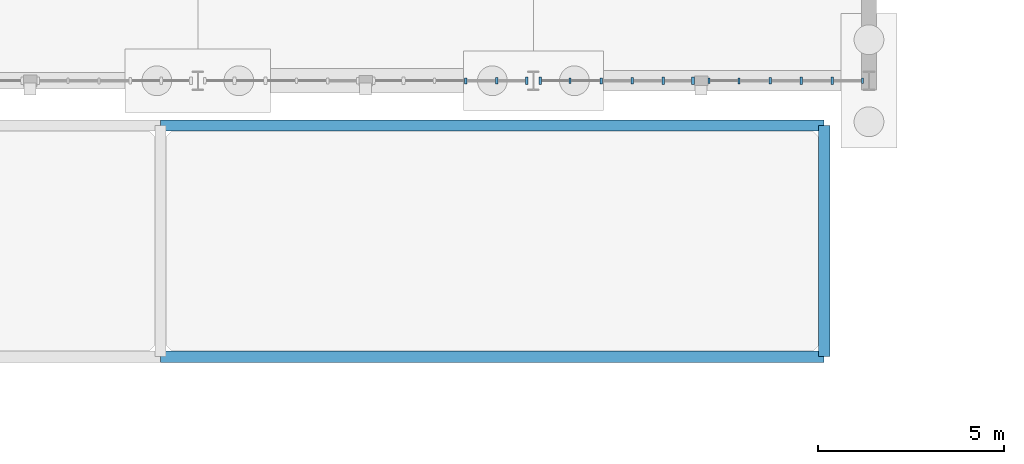
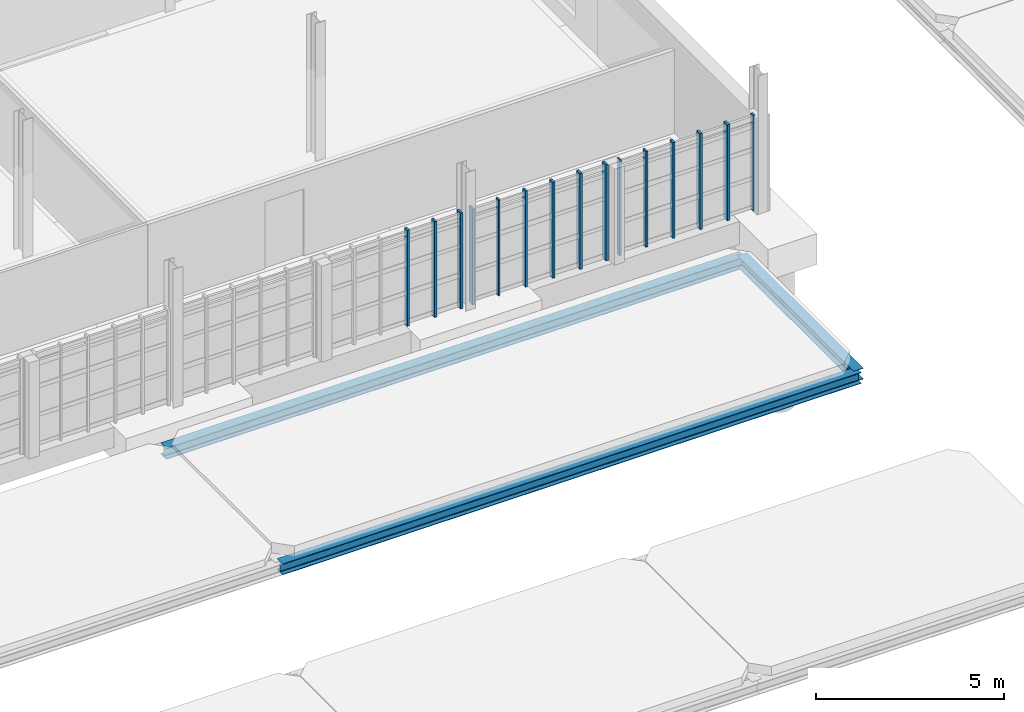
# One storey, part 37 of 125: 15 members, 3 beams, 3 elements without a shape of their own.
"""IFC4 building model written with IfcOpenShell, lengths in metres."""

from ifc_helpers import new_model, si_unit, direction, frame, origin, origin_2d, place, context, subcontext, project, spatial, rectangle, i_section, extrude, material, material_profile, profile_set, type_object, element, aggregate, save


model = new_model("IFC4")

# Units and contexts
model_context = context("Model", 3, precision=1e-05, world=origin(), true_north=direction((0.0, 1.0)))
body_context = subcontext(model_context, "Body", "Model", "MODEL_VIEW")
ifc_project = project(units=[si_unit("LENGTHUNIT", "METRE"), si_unit("AREAUNIT", "SQUARE_METRE"), si_unit("VOLUMEUNIT", "CUBIC_METRE"), si_unit("PLANEANGLEUNIT", "RADIAN"), si_unit("MASSUNIT", "GRAM", prefix="KILO")], contexts=[model_context])

# Site, building, storey
site_placement = place(None, origin())
site = spatial("IfcSite", under=ifc_project, at=site_placement, CompositionType="ELEMENT")
building_placement = place(site_placement, origin())
building = spatial("IfcBuilding", under=site, at=building_placement, Name="Serraforn Aerial Cableway Station", CompositionType="ELEMENT")
storey_placement = place(building_placement, frame((0.0, 0.0, 4.5)))
storey = spatial("IfcBuildingStorey", under=building, at=storey_placement, Name="L01", CompositionType="ELEMENT", Elevation=4.5)

# Beams
ifc_material_1 = material(Name="Steel S355JR", Category="steel")
ifc_material_profile_1 = material_profile(ifc_material_1, i_section(OverallWidth=0.300048828125, OverallDepth=0.360107421875, WebThickness=0.010009765625, FlangeThickness=0.017578125, FilletRadius=0.027099609375, at=origin_2d()), Name="HEA 360")
ifc_profile_set_1 = profile_set([ifc_material_profile_1], Name="Steel S355JR")
beam_type = type_object("IfcBeamType", Name="BM-ST-HEA360", PredefinedType="BEAM", material=ifc_profile_set_1)
for number, where, z_axis, x_axis, name in (
    (1, (120.199951171875, 18.60009765625, -0.52001953125), (1.0, 0.0, 0.0), (0.0, 1.0, 0.0), "Colonnade Spandrel Beam CX-3-1"),
    (2, (120.199951171875, 24.800048828125, -0.52001953125), (1.0, 0.0, 0.0), (0.0, 1.0, 0.0), "Colonnade Spandrel Beam CX-3-2"),
):
    element("IfcBeam", number, at=place(storey_placement, frame(where, z_axis=z_axis, x_axis=x_axis)), inside=storey, type_object=beam_type, Name=name, PredefinedType="BEAM", context=body_context, shape_type="SweptSolid", body=[
        extrude(i_section(OverallWidth=0.300048828125, OverallDepth=0.360107421875, WebThickness=0.010009765625, FlangeThickness=0.017578125, FilletRadius=0.027099609375, at=origin_2d()), origin(), (0.0, 0.0, 1.0), 17.800048828125),
    ])
beam_placement = place(storey_placement, frame((138.0, 18.60009765625, -0.52001953125), z_axis=(0.0, 1.0, 0.0), x_axis=(-1.0, 0.0, 0.0)))
element("IfcBeam", 3, at=beam_placement, inside=storey, type_object=beam_type, Name="Colonnade Cross Beam CY-4-1", PredefinedType="BEAM", context=body_context, shape_type="SweptSolid", body=[
    extrude(i_section(OverallWidth=0.300048828125, OverallDepth=0.360107421875, WebThickness=0.010009765625, FlangeThickness=0.017578125, FilletRadius=0.027099609375, at=origin_2d()), origin(), (0.0, 0.0, 1.0), 6.199951171875),
])

# Curtain wall, member
ifc_material_2 = material(Name="Anodised bronze unitised curtain wall")
curtain_wall_type_1 = type_object("IfcCurtainWallType", Name="CW-SYS-19", PredefinedType="USERDEFINED", material=ifc_material_2)
curtain_wall_1_placement = place(storey_placement, origin())
curtain_wall_1 = element("IfcCurtainWall", 4, at=curtain_wall_1_placement, inside=storey, type_object=curtain_wall_type_1, Name="Unitised Curtain Wall CW-EL-L01-S5A", ObjectType="UNITISED CURTAIN WALL", PredefinedType="USERDEFINED")
ifc_material_3 = material(Name="Anodised bronze extruded aluminium", Category="aluminium")
ifc_material_profile_2 = material_profile(ifc_material_3, rectangle(XDim=0.054931640625, YDim=0.139892578125, at=origin_2d()), Name="CW MULLION 55x140")
ifc_profile_set_2 = profile_set([ifc_material_profile_2], Name="Anodised bronze extruded aluminium")
member_type_1 = type_object("IfcMemberType", Name="CW-MUL-1", PredefinedType="MULLION", material=ifc_profile_set_2)
member_1_placement = place(storey_placement, frame((131.182373046875, 26.0, 0.0), z_axis=(0.0, 0.0, 1.0), x_axis=(1.0, 0.0, 0.0)))
member_1 = element("IfcMember", 5, at=member_1_placement, type_object=member_type_1, Name="Curtain Wall Mullion CW-EL-L01-S5A-M2", PredefinedType="MULLION", context=body_context, shape_type="SweptSolid", body=[
    extrude(rectangle(XDim=0.054931640625, YDim=0.139892578125, at=origin_2d()), origin(), (0.0, 0.0, 1.0), 3.1201171875),
])

# Curtain wall, members
curtain_wall_type_2 = type_object("IfcCurtainWallType", Name="CW-SYS-20", PredefinedType="USERDEFINED", material=ifc_material_2)
curtain_wall_2_placement = place(storey_placement, origin())
curtain_wall_2 = element("IfcCurtainWall", 6, at=curtain_wall_2_placement, inside=storey, type_object=curtain_wall_type_2, Name="Unitised Curtain Wall CW-EL-L01-S5B", ObjectType="UNITISED CURTAIN WALL", PredefinedType="USERDEFINED")
member_2_placement = place(storey_placement, frame((134.907470703125, 26.0, 0.0), z_axis=(0.0, 0.0, 1.0), x_axis=(1.0, 0.0, 0.0)))
member_2 = element("IfcMember", 7, at=member_2_placement, type_object=member_type_1, Name="Curtain Wall Mullion CW-EL-L01-S5B-M1", PredefinedType="MULLION", context=body_context, shape_type="SweptSolid", body=[
    extrude(rectangle(XDim=0.054931640625, YDim=0.139892578125, at=origin_2d()), origin(), (0.0, 0.0, 1.0), 3.1201171875),
])
member_3_placement = place(storey_placement, frame((139.0244140625, 26.0, 0.0), z_axis=(0.0, 0.0, 1.0), x_axis=(1.0, 0.0, 0.0)))
member_3 = element("IfcMember", 8, at=member_3_placement, type_object=member_type_1, Name="Curtain Wall Mullion CW-EL-L01-S5B-M6", PredefinedType="MULLION", context=body_context, shape_type="SweptSolid", body=[
    extrude(rectangle(XDim=0.054931640625, YDim=0.139892578125, at=origin_2d()), origin(), (0.0, 0.0, 1.0), 3.1201171875),
])

# Curtain wall, member
curtain_wall_type_3 = type_object("IfcCurtainWallType", Name="CW-SYS-18", PredefinedType="USERDEFINED", material=ifc_material_2)
curtain_wall_3_placement = place(storey_placement, origin())
curtain_wall_3 = element("IfcCurtainWall", 9, at=curtain_wall_3_placement, inside=storey, type_object=curtain_wall_type_3, Name="Unitised Curtain Wall CW-EL-L01-S4B", ObjectType="UNITISED CURTAIN WALL", PredefinedType="USERDEFINED")
ifc_material_profile_3 = material_profile(ifc_material_3, rectangle(XDim=0.06005859375, YDim=0.159912109375, at=origin_2d()), Name="CW MULLION 60x160")
ifc_profile_set_3 = profile_set([ifc_material_profile_3], Name="Anodised bronze extruded aluminium")
member_type_2 = type_object("IfcMemberType", Name="CW-MUL-2", PredefinedType="MULLION", material=ifc_profile_set_3)
member_4_placement = place(storey_placement, frame((128.38330078125, 26.0, 0.0), z_axis=(0.0, 0.0, 1.0), x_axis=(1.0, 0.0, 0.0)))
member_4 = element("IfcMember", 10, at=member_4_placement, type_object=member_type_2, Name="Curtain Wall Mullion CW-EL-L01-S4B-M4", PredefinedType="MULLION", context=body_context, shape_type="SweptSolid", body=[
    extrude(rectangle(XDim=0.06005859375, YDim=0.159912109375, at=origin_2d()), origin(), (0.0, 0.0, 1.0), 3.1201171875),
])

# Member
member_5_placement = place(storey_placement, frame((132.016845703125, 26.0, 0.0), z_axis=(0.0, 0.0, 1.0), x_axis=(1.0, 0.0, 0.0)))
member_5 = element("IfcMember", 11, at=member_5_placement, type_object=member_type_2, Name="Curtain Wall Mullion CW-EL-L01-S5A-M3", PredefinedType="MULLION", context=body_context, shape_type="SweptSolid", body=[
    extrude(rectangle(XDim=0.06005859375, YDim=0.159912109375, at=origin_2d()), origin(), (0.0, 0.0, 1.0), 3.1201171875),
])

member_6_placement = place(storey_placement, frame((135.71435546875, 26.0, 0.0), z_axis=(0.0, 0.0, 1.0), x_axis=(1.0, 0.0, 0.0)))
member_6 = element("IfcMember", 12, at=member_6_placement, type_object=member_type_2, Name="Curtain Wall Mullion CW-EL-L01-S5B-M2", PredefinedType="MULLION", context=body_context, shape_type="SweptSolid", body=[
    extrude(rectangle(XDim=0.06005859375, YDim=0.159912109375, at=origin_2d()), origin(), (0.0, 0.0, 1.0), 3.1201171875),
])

ifc_material_profile_4 = material_profile(ifc_material_3, rectangle(XDim=0.06494140625, YDim=0.175048828125, at=origin_2d()), Name="CW MULLION 65x175")
ifc_profile_set_4 = profile_set([ifc_material_profile_4], Name="Anodised bronze extruded aluminium")
member_type_3 = type_object("IfcMemberType", Name="CW-MUL-3", PredefinedType="MULLION", material=ifc_profile_set_4)
member_7_placement = place(storey_placement, frame((129.217529296875, 26.0, 0.0), z_axis=(0.0, 0.0, 1.0), x_axis=(1.0, 0.0, 0.0)))
member_7 = element("IfcMember", 13, at=member_7_placement, type_object=member_type_3, Name="Curtain Wall Mullion CW-EL-L01-S4B-M5", PredefinedType="MULLION", context=body_context, shape_type="SweptSolid", body=[
    extrude(rectangle(XDim=0.06494140625, YDim=0.175048828125, at=origin_2d()), origin(), (0.0, 0.0, 1.0), 3.1201171875),
])

member_8_placement = place(storey_placement, frame((132.851318359375, 26.0, 0.0), z_axis=(0.0, 0.0, 1.0), x_axis=(1.0, 0.0, 0.0)))
member_8 = element("IfcMember", 14, at=member_8_placement, type_object=member_type_3, Name="Curtain Wall Mullion CW-EL-L01-S5A-M4", PredefinedType="MULLION", context=body_context, shape_type="SweptSolid", body=[
    extrude(rectangle(XDim=0.06494140625, YDim=0.175048828125, at=origin_2d()), origin(), (0.0, 0.0, 1.0), 3.1201171875),
])

member_9_placement = place(storey_placement, frame((136.548828125, 26.0, 0.0), z_axis=(0.0, 0.0, 1.0), x_axis=(1.0, 0.0, 0.0)))
member_9 = element("IfcMember", 15, at=member_9_placement, type_object=member_type_3, Name="Curtain Wall Mullion CW-EL-L01-S5B-M3", PredefinedType="MULLION", context=body_context, shape_type="SweptSolid", body=[
    extrude(rectangle(XDim=0.06494140625, YDim=0.175048828125, at=origin_2d()), origin(), (0.0, 0.0, 1.0), 3.1201171875),
])

ifc_material_profile_5 = material_profile(ifc_material_3, rectangle(XDim=0.070068359375, YDim=0.18994140625, at=origin_2d()), Name="CW MULLION 70x190")
ifc_profile_set_5 = profile_set([ifc_material_profile_5], Name="Anodised bronze extruded aluminium")
member_type_4 = type_object("IfcMemberType", Name="CW-MUL-4", PredefinedType="MULLION", material=ifc_profile_set_5)
member_10_placement = place(storey_placement, frame((130.01708984375, 26.0, 0.0), z_axis=(0.0, 0.0, 1.0), x_axis=(1.0, 0.0, 0.0)))
member_10 = element("IfcMember", 16, at=member_10_placement, type_object=member_type_4, Name="Curtain Wall Mullion CW-EL-L01-S4B-M6", PredefinedType="MULLION", context=body_context, shape_type="SweptSolid", body=[
    extrude(rectangle(XDim=0.070068359375, YDim=0.18994140625, at=origin_2d()), origin(), (0.0, 0.0, 1.0), 3.1201171875),
])

aggregate(curtain_wall_3, [member_4, member_7, member_10])

member_11_placement = place(storey_placement, frame((133.685546875, 26.0, 0.0), z_axis=(0.0, 0.0, 1.0), x_axis=(1.0, 0.0, 0.0)))
member_11 = element("IfcMember", 17, at=member_11_placement, type_object=member_type_4, Name="Curtain Wall Mullion CW-EL-L01-S5A-M5", PredefinedType="MULLION", context=body_context, shape_type="SweptSolid", body=[
    extrude(rectangle(XDim=0.070068359375, YDim=0.18994140625, at=origin_2d()), origin(), (0.0, 0.0, 1.0), 3.1201171875),
])

member_12_placement = place(storey_placement, frame((137.38330078125, 26.0, 0.0), z_axis=(0.0, 0.0, 1.0), x_axis=(1.0, 0.0, 0.0)))
member_12 = element("IfcMember", 18, at=member_12_placement, type_object=member_type_4, Name="Curtain Wall Mullion CW-EL-L01-S5B-M4", PredefinedType="MULLION", context=body_context, shape_type="SweptSolid", body=[
    extrude(rectangle(XDim=0.070068359375, YDim=0.18994140625, at=origin_2d()), origin(), (0.0, 0.0, 1.0), 3.1201171875),
])

ifc_material_profile_6 = material_profile(ifc_material_3, rectangle(XDim=0.074951171875, YDim=0.199951171875, at=origin_2d()), Name="CW MULLION 75x200")
ifc_profile_set_6 = profile_set([ifc_material_profile_6], Name="Anodised bronze extruded aluminium")
member_type_5 = type_object("IfcMemberType", Name="CW-MUL-5", PredefinedType="MULLION", material=ifc_profile_set_6)
member_13_placement = place(storey_placement, frame((130.385498046875, 26.0, 0.0), z_axis=(0.0, 0.0, 1.0), x_axis=(1.0, 0.0, 0.0)))
member_13 = element("IfcMember", 19, at=member_13_placement, type_object=member_type_5, Name="Curtain Wall Mullion CW-EL-L01-S5A-M1", PredefinedType="MULLION", context=body_context, shape_type="SweptSolid", body=[
    extrude(rectangle(XDim=0.074951171875, YDim=0.199951171875, at=origin_2d()), origin(), (0.0, 0.0, 1.0), 3.1201171875),
])

member_14_placement = place(storey_placement, frame((134.482421875, 26.0, 0.0), z_axis=(0.0, 0.0, 1.0), x_axis=(1.0, 0.0, 0.0)))
member_14 = element("IfcMember", 20, at=member_14_placement, type_object=member_type_5, Name="Curtain Wall Mullion CW-EL-L01-S5A-M6", PredefinedType="MULLION", context=body_context, shape_type="SweptSolid", body=[
    extrude(rectangle(XDim=0.074951171875, YDim=0.199951171875, at=origin_2d()), origin(), (0.0, 0.0, 1.0), 3.1201171875),
])

aggregate(curtain_wall_1, [member_13, member_1, member_5, member_8, member_11, member_14])

member_15_placement = place(storey_placement, frame((138.217529296875, 26.0, 0.0), z_axis=(0.0, 0.0, 1.0), x_axis=(1.0, 0.0, 0.0)))
member_15 = element("IfcMember", 21, at=member_15_placement, type_object=member_type_5, Name="Curtain Wall Mullion CW-EL-L01-S5B-M5", PredefinedType="MULLION", context=body_context, shape_type="SweptSolid", body=[
    extrude(rectangle(XDim=0.074951171875, YDim=0.199951171875, at=origin_2d()), origin(), (0.0, 0.0, 1.0), 3.1201171875),
])

aggregate(curtain_wall_2, [member_2, member_6, member_9, member_12, member_15, member_3])

save(model, "model.ifc")
